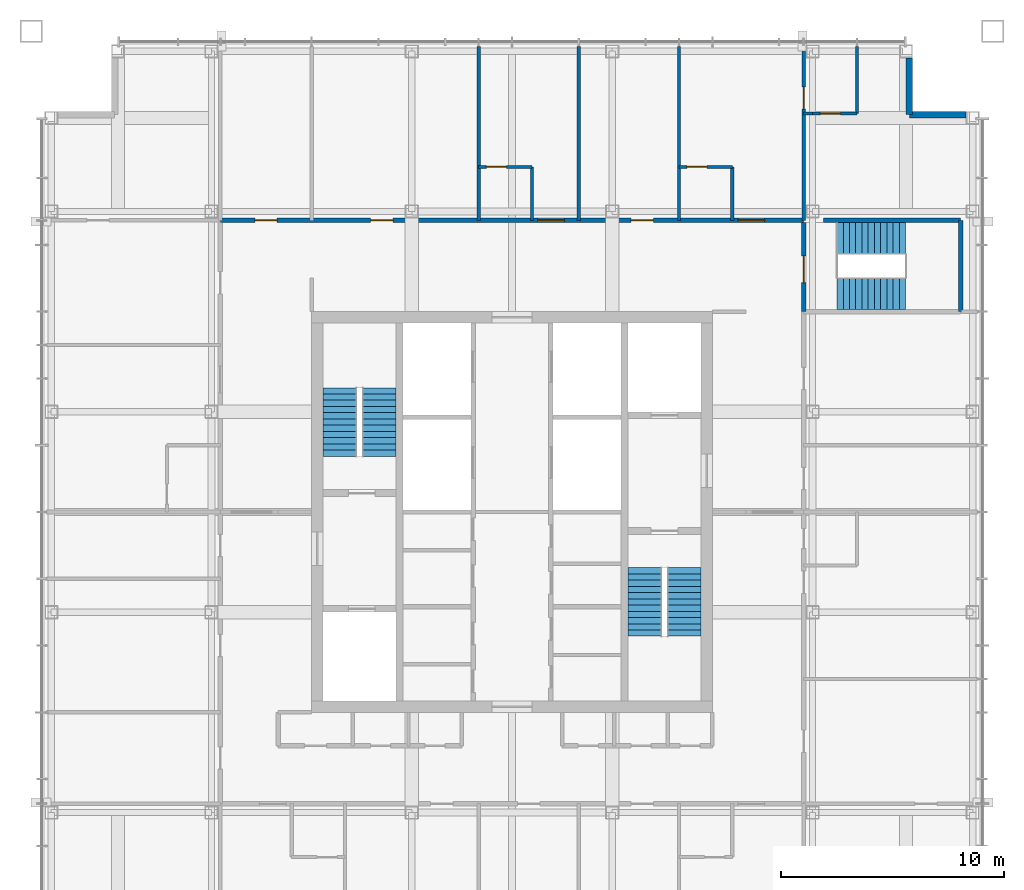
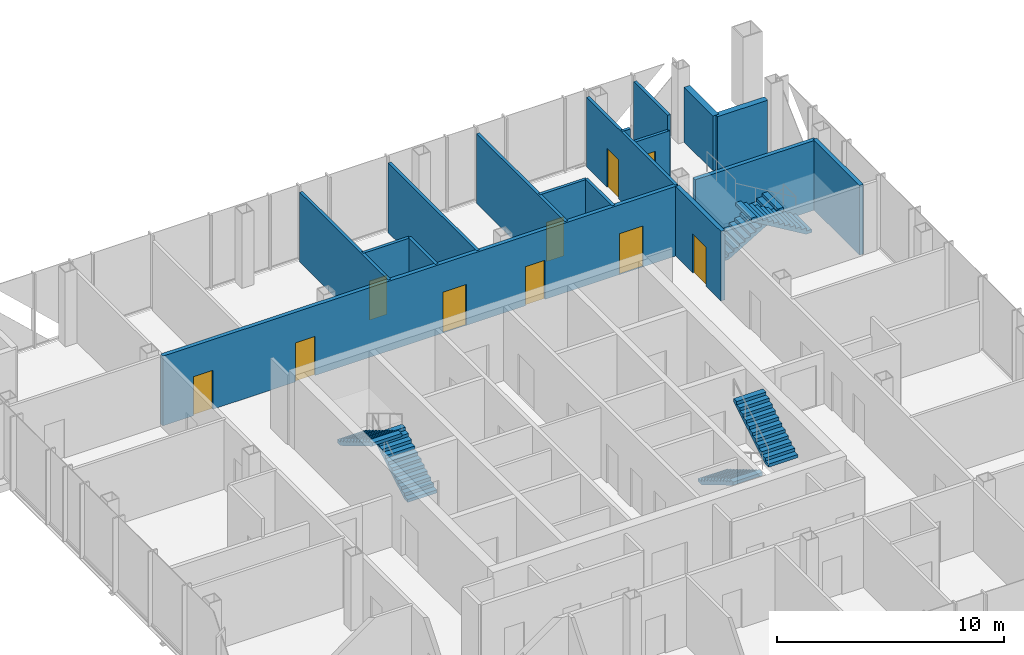
# One storey, part 10 of 11: 17 walls, 10 doors, 6 stair flights, 10 openings, 3 elements without a shape of their own.
"""IFC4 building model written with IfcOpenShell, lengths in metres."""

from ifc_helpers import new_model, si_unit, direction, frame, frame_2d, origin, place, context, subcontext, project, spatial, polyline, rectangle, outline, extrude, material, layer, layer_set, type_object, element, fill, aggregate, save


model = new_model("IFC4")

# Units and contexts
model_context = context("Model", 3, precision=1e-05, world=origin(), true_north=direction((0.0, 1.0)))
body_context = subcontext(model_context, "Body", "Model", "MODEL_VIEW")
ifc_project = project(units=[si_unit("LENGTHUNIT", "METRE"), si_unit("AREAUNIT", "SQUARE_METRE"), si_unit("VOLUMEUNIT", "CUBIC_METRE"), si_unit("PLANEANGLEUNIT", "RADIAN"), si_unit("MASSUNIT", "GRAM", prefix="KILO")], contexts=[model_context])

# Site, building, storey
site_placement = place(None, origin())
site = spatial("IfcSite", under=ifc_project, at=site_placement, CompositionType="ELEMENT")
building_placement = place(site_placement, origin())
building = spatial("IfcBuilding", under=site, at=building_placement, Name="Malebo Sky Hospital", CompositionType="ELEMENT")
storey_placement = place(building_placement, frame((0.0, 0.0, 282.0)))
storey = spatial("IfcBuildingStorey", under=building, at=storey_placement, Name="L68", CompositionType="ELEMENT", Elevation=282.0)

# Wall, openings, doors
ifc_material_1 = material(Name="Gypsum board on steel studs", Category="steel")
ifc_layer_1 = layer(ifc_material_1, 0.199951171875)
ifc_layer_set_1 = layer_set([ifc_layer_1], Name="CORRIDOR WALL 200")
wall_type_1 = type_object("IfcWallType", Name="CORRIDOR WALL 200", PredefinedType="PARTITIONING", material=ifc_layer_set_1)
wall_1_placement = place(storey_placement, frame((46.89990234375, 75.10009765625, 0.0), z_axis=(0.0, 0.0, 1.0), x_axis=(1.0, 0.0, 0.0)))
wall_1 = element("IfcWall", 1, at=wall_1_placement, inside=storey, type_object=wall_type_1, Name="Corridor Wall 200 NCO", PredefinedType="PARTITIONING", context=body_context, shape_type="SweptSolid", body=[
    extrude(rectangle(XDim=26.2001953125, YDim=0.199951171875, at=frame_2d((13.10009765625, 0.0))), origin(), (0.0, 0.0, 1.0), 3.75),
])
opening_1_placement = place(wall_1_placement, frame((1.550048828125, 0.0, 0.0)))
opening_1 = element("IfcOpeningElement", 2, at=opening_1_placement, cuts=wall_1, Name="Opening D03", PredefinedType="OPENING", context=body_context, shape_type="SweptSolid", body=[
    extrude(rectangle(XDim=1.0, YDim=2.10009765625, at=frame_2d((0.5, 1.050048828125))), frame((0.0, 0.10986328125, 0.0), z_axis=(0.0, -1.0, 0.0), x_axis=(1.0, 0.0, 0.0)), (0.0, 0.0, 1.0), 0.219970703125),
])
opening_2_placement = place(wall_1_placement, frame((6.75, 0.0, 0.0)))
opening_2 = element("IfcOpeningElement", 3, at=opening_2_placement, cuts=wall_1, Name="Opening D03", PredefinedType="OPENING", context=body_context, shape_type="SweptSolid", body=[
    extrude(rectangle(XDim=1.0, YDim=2.10009765625, at=frame_2d((0.5, 1.050048828125))), frame((0.0, 0.10986328125, 0.0), z_axis=(0.0, -1.0, 0.0), x_axis=(1.0, 0.0, 0.0)), (0.0, 0.0, 1.0), 0.219970703125),
])
opening_3_placement = place(wall_1_placement, frame((14.25, 0.0, 0.0)))
opening_3 = element("IfcOpeningElement", 4, at=opening_3_placement, cuts=wall_1, Name="Opening D01", PredefinedType="OPENING", context=body_context, shape_type="SweptSolid", body=[
    extrude(rectangle(XDim=1.199951171875, YDim=2.199951171875, at=frame_2d((0.60009765625, 1.10009765625))), frame((0.0, 0.10986328125, 0.0), z_axis=(0.0, -1.0, 0.0), x_axis=(1.0, 0.0, 0.0)), (0.0, 0.0, 1.0), 0.219970703125),
])
opening_4_placement = place(wall_1_placement, frame((18.449951171875, 0.0, 0.0)))
opening_4 = element("IfcOpeningElement", 5, at=opening_4_placement, cuts=wall_1, Name="Opening D03", PredefinedType="OPENING", context=body_context, shape_type="SweptSolid", body=[
    extrude(rectangle(XDim=1.0, YDim=2.10009765625, at=frame_2d((0.5, 1.050048828125))), frame((0.0, 0.10986328125, 0.0), z_axis=(0.0, -1.0, 0.0), x_axis=(1.0, 0.0, 0.0)), (0.0, 0.0, 1.0), 0.219970703125),
])
opening_5_placement = place(wall_1_placement, frame((23.25, 0.0, 0.0)))
opening_5 = element("IfcOpeningElement", 6, at=opening_5_placement, cuts=wall_1, Name="Opening D01", PredefinedType="OPENING", context=body_context, shape_type="SweptSolid", body=[
    extrude(rectangle(XDim=1.199951171875, YDim=2.199951171875, at=frame_2d((0.60009765625, 1.10009765625))), frame((0.0, 0.10986328125, 0.0), z_axis=(0.0, -1.0, 0.0), x_axis=(1.0, 0.0, 0.0)), (0.0, 0.0, 1.0), 0.219970703125),
])
ifc_material_2 = material(Name="Hardwood-faced door leaf in steel frame", Category="steel")
door_type_1 = type_object("IfcDoorType", Name="BED DOOR 1200", OperationType="SINGLE_SWING_LEFT", PredefinedType="DOOR", material=ifc_material_2)
door_1_placement = place(opening_3_placement, origin())
door_1 = element("IfcDoor", 7, at=door_1_placement, inside=storey, type_object=door_type_1, Name="Single bed room door", OperationType="SINGLE_SWING_LEFT", OverallHeight=2.199951171875, OverallWidth=1.199951171875, PredefinedType="DOOR", context=body_context, shape_type="SweptSolid", body=[
    extrude(rectangle(XDim=1.199951171875, YDim=2.199951171875, at=frame_2d((0.60009765625, 1.10009765625))), frame((0.0, 0.02490234375, 0.0), z_axis=(0.0, -1.0, 0.0), x_axis=(1.0, 0.0, 0.0)), (0.0, 0.0, 1.0), 0.050048828125),
])
fill(opening_3, door_1)
door_2_placement = place(opening_5_placement, origin())
door_2 = element("IfcDoor", 8, at=door_2_placement, inside=storey, type_object=door_type_1, Name="Family suite door", OperationType="SINGLE_SWING_LEFT", OverallHeight=2.199951171875, OverallWidth=1.199951171875, PredefinedType="DOOR", context=body_context, shape_type="SweptSolid", body=[
    extrude(rectangle(XDim=1.199951171875, YDim=2.199951171875, at=frame_2d((0.60009765625, 1.10009765625))), frame((0.0, 0.02490234375, 0.0), z_axis=(0.0, -1.0, 0.0), x_axis=(1.0, 0.0, 0.0)), (0.0, 0.0, 1.0), 0.050048828125),
])
fill(opening_5, door_2)
door_type_2 = type_object("IfcDoorType", Name="ROOM DOOR 1000", OperationType="SINGLE_SWING_LEFT", PredefinedType="DOOR", material=ifc_material_2)
door_3_placement = place(opening_1_placement, origin())
door_3 = element("IfcDoor", 9, at=door_3_placement, inside=storey, type_object=door_type_2, Name="Ward office door", OperationType="SINGLE_SWING_LEFT", OverallHeight=2.10009765625, OverallWidth=1.0, PredefinedType="DOOR", context=body_context, shape_type="SweptSolid", body=[
    extrude(rectangle(XDim=1.0, YDim=2.10009765625, at=frame_2d((0.5, 1.050048828125))), frame((0.0, 0.02490234375, 0.0), z_axis=(0.0, -1.0, 0.0), x_axis=(1.0, 0.0, 0.0)), (0.0, 0.0, 1.0), 0.050048828125),
])
fill(opening_1, door_3)
door_4_placement = place(opening_2_placement, origin())
door_4 = element("IfcDoor", 10, at=door_4_placement, inside=storey, type_object=door_type_2, Name="Prayer room door", OperationType="SINGLE_SWING_LEFT", OverallHeight=2.10009765625, OverallWidth=1.0, PredefinedType="DOOR", context=body_context, shape_type="SweptSolid", body=[
    extrude(rectangle(XDim=1.0, YDim=2.10009765625, at=frame_2d((0.5, 1.050048828125))), frame((0.0, 0.02490234375, 0.0), z_axis=(0.0, -1.0, 0.0), x_axis=(1.0, 0.0, 0.0)), (0.0, 0.0, 1.0), 0.050048828125),
])
fill(opening_2, door_4)
door_5_placement = place(opening_4_placement, origin())
door_5 = element("IfcDoor", 11, at=door_5_placement, inside=storey, type_object=door_type_2, Name="Nurse station door", OperationType="SINGLE_SWING_RIGHT", OverallHeight=2.10009765625, OverallWidth=1.0, PredefinedType="DOOR", context=body_context, shape_type="SweptSolid", body=[
    extrude(rectangle(XDim=1.0, YDim=2.10009765625, at=frame_2d((0.5, 1.050048828125))), frame((0.0, 0.02490234375, 0.0), z_axis=(0.0, -1.0, 0.0), x_axis=(1.0, 0.0, 0.0)), (0.0, 0.0, 1.0), 0.050048828125),
])
fill(opening_4, door_5)

# Walls
ifc_material_3 = material(Name="Anodised aluminium rainscreen on steel framing", Category="steel")
ifc_layer_2 = layer(ifc_material_3, 0.300048828125)
ifc_layer_set_2 = layer_set([ifc_layer_2], Name="NOTCH RAINSCREEN WALL 300")
wall_type_2 = type_object("IfcWallType", Name="NOTCH RAINSCREEN WALL 300", PredefinedType="ELEMENTEDWALL", material=ifc_layer_set_2)
for number, where, z_axis, x_axis, name in (
    (12, (77.85009765625, 82.39990234375, 0.0), (0.0, 0.0, 1.0), (0.0, -1.0, 0.0), "Notch rainscreen wall N1 L68"),
    (13, (77.85009765625, 79.85009765625, 0.0), (0.0, 0.0, 1.0), (1.0, 0.0, 0.0), "Notch rainscreen wall N2 L68"),
):
    element("IfcWall", number, at=place(storey_placement, frame(where, z_axis=z_axis, x_axis=x_axis)), inside=storey, type_object=wall_type_2, Name=name, PredefinedType="ELEMENTEDWALL", context=body_context, shape_type="SweptSolid", body=[
        extrude(rectangle(XDim=2.5498046875, YDim=0.300048828125, at=frame_2d((1.27490234375, 0.0))), origin(), (0.0, 0.0, 1.0), 2.949951171875),
    ])
ifc_layer_3 = layer(ifc_material_1, 0.14990234375)
ifc_layer_set_3 = layer_set([ifc_layer_3], Name="PARTITION 150")
wall_type_3 = type_object("IfcWallType", Name="PARTITION 150", PredefinedType="PARTITIONING", material=ifc_layer_set_3)
for number, where, z_axis, x_axis, name in (
    (14, (58.5, 75.10009765625, 0.0), (0.0, 0.0, 1.0), (0.0, 1.0, 0.0), "Partition 150 NP-1.5"),
    (15, (63.0, 75.10009765625, 0.0), (0.0, 0.0, 1.0), (0.0, 1.0, 0.0), "Partition 150 NP+3.0"),
    (16, (67.5, 75.10009765625, 0.0), (0.0, 0.0, 1.0), (0.0, 1.0, 0.0), "Partition 150 NP+7.5"),
):
    element("IfcWall", number, at=place(storey_placement, frame(where, z_axis=z_axis, x_axis=x_axis)), inside=storey, type_object=wall_type_3, Name=name, PredefinedType="PARTITIONING", context=body_context, shape_type="SweptSolid", body=[
        extrude(rectangle(XDim=7.7998046875, YDim=0.14990234375, at=frame_2d((3.89990234375, 0.0))), origin(), (0.0, 0.0, 1.0), 3.75),
    ])

# Wall, opening, door
wall_2_placement = place(storey_placement, frame((58.5, 77.5, 0.0), z_axis=(0.0, 0.0, 1.0), x_axis=(1.0, 0.0, 0.0)))
wall_2 = element("IfcWall", 17, at=wall_2_placement, inside=storey, type_object=wall_type_3, Name="Partition 150 NE2F", PredefinedType="PARTITIONING", context=body_context, shape_type="SweptSolid", body=[
    extrude(rectangle(XDim=2.39990234375, YDim=0.14990234375, at=frame_2d((1.199951171875, 0.0))), origin(), (0.0, 0.0, 1.0), 3.75),
])
opening_6_placement = place(wall_2_placement, frame((0.35009765625, 0.0, 0.0)))
opening_6 = element("IfcOpeningElement", 18, at=opening_6_placement, cuts=wall_2, Name="Opening D02", PredefinedType="OPENING", context=body_context, shape_type="SweptSolid", body=[
    extrude(rectangle(XDim=0.89990234375, YDim=2.10009765625, at=frame_2d((0.449951171875, 1.050048828125))), frame((0.0, 0.0849609375, 0.0), z_axis=(0.0, -1.0, 0.0), x_axis=(1.0, 0.0, 0.0)), (0.0, 0.0, 1.0), 0.169921875),
])
door_type_3 = type_object("IfcDoorType", Name="EN-SUITE DOOR 900", OperationType="SINGLE_SWING_LEFT", PredefinedType="DOOR", material=ifc_material_2)
door_6_placement = place(opening_6_placement, origin())
door_6 = element("IfcDoor", 19, at=door_6_placement, inside=storey, type_object=door_type_3, Name="En-suite door", OperationType="SINGLE_SWING_LEFT", OverallHeight=2.10009765625, OverallWidth=0.89990234375, PredefinedType="DOOR", context=body_context, shape_type="SweptSolid", body=[
    extrude(rectangle(XDim=0.89990234375, YDim=2.10009765625, at=frame_2d((0.449951171875, 1.050048828125))), frame((0.0, 0.02490234375, 0.0), z_axis=(0.0, -1.0, 0.0), x_axis=(1.0, 0.0, 0.0)), (0.0, 0.0, 1.0), 0.050048828125),
])
fill(opening_6, door_6)

# Wall
wall_3_placement = place(storey_placement, frame((60.89990234375, 75.10009765625, 0.0), z_axis=(0.0, 0.0, 1.0), x_axis=(0.0, 1.0, 0.0)))
element("IfcWall", 20, at=wall_3_placement, inside=storey, type_object=wall_type_3, Name="Partition 150 NE2S", PredefinedType="PARTITIONING", context=body_context, shape_type="SweptSolid", body=[
    extrude(rectangle(XDim=2.39990234375, YDim=0.14990234375, at=frame_2d((1.199951171875, 0.0))), origin(), (0.0, 0.0, 1.0), 3.75),
])

# Wall, opening, door
wall_4_placement = place(storey_placement, frame((73.10009765625, 75.10009765625, 0.0), z_axis=(0.0, 0.0, 1.0), x_axis=(0.0, 1.0, 0.0)))
wall_4 = element("IfcWall", 21, at=wall_4_placement, inside=storey, type_object=wall_type_3, Name="Partition 150 NK", PredefinedType="PARTITIONING", context=body_context, shape_type="SweptSolid", body=[
    extrude(rectangle(XDim=7.7998046875, YDim=0.14990234375, at=frame_2d((3.89990234375, 0.0))), origin(), (0.0, 0.0, 1.0), 3.75),
])
opening_7_placement = place(wall_4_placement, frame((5.0, 0.0, 0.0)))
opening_7 = element("IfcOpeningElement", 22, at=opening_7_placement, cuts=wall_4, Name="Opening D03", PredefinedType="OPENING", context=body_context, shape_type="SweptSolid", body=[
    extrude(rectangle(XDim=1.0, YDim=2.10009765625, at=frame_2d((0.5, 1.050048828125))), frame((0.0, 0.0849609375, 0.0), z_axis=(0.0, -1.0, 0.0), x_axis=(1.0, 0.0, 0.0)), (0.0, 0.0, 1.0), 0.169921875),
])
door_7_placement = place(opening_7_placement, origin())
door_7 = element("IfcDoor", 23, at=door_7_placement, inside=storey, type_object=door_type_2, Name="Family suite sitting room door", OperationType="SINGLE_SWING_LEFT", OverallHeight=2.10009765625, OverallWidth=1.0, PredefinedType="DOOR", context=body_context, shape_type="SweptSolid", body=[
    extrude(rectangle(XDim=1.0, YDim=2.10009765625, at=frame_2d((0.5, 1.050048828125))), frame((0.0, 0.02490234375, 0.0), z_axis=(0.0, -1.0, 0.0), x_axis=(1.0, 0.0, 0.0)), (0.0, 0.0, 1.0), 0.050048828125),
])
fill(opening_7, door_7)

# Wall
wall_5_placement = place(storey_placement, frame((73.10009765625, 79.89990234375, 0.0), z_axis=(0.0, 0.0, 1.0), x_axis=(1.0, 0.0, 0.0)))
element("IfcWall", 24, at=wall_5_placement, inside=storey, type_object=wall_type_3, Name="Partition 150 NKF", PredefinedType="PARTITIONING", context=body_context, shape_type="SweptSolid", body=[
    extrude(rectangle(XDim=0.39990234375, YDim=0.14990234375, at=frame_2d((0.199951171875, 0.0))), origin(), (0.0, 0.0, 1.0), 3.75),
])

# Wall, opening, door
wall_6_placement = place(storey_placement, frame((73.5, 79.89990234375, 0.0), z_axis=(0.0, 0.0, 1.0), x_axis=(1.0, 0.0, 0.0)))
wall_6 = element("IfcWall", 25, at=wall_6_placement, inside=storey, type_object=wall_type_3, Name="Partition 150 NKF", PredefinedType="PARTITIONING", context=body_context, shape_type="SweptSolid", body=[
    extrude(rectangle(XDim=2.0, YDim=0.14990234375, at=frame_2d((1.0, 0.0))), origin(), (0.0, 0.0, 1.0), 2.949951171875),
])
opening_8_placement = place(wall_6_placement, frame((0.35009765625, 0.0, 0.0)))
opening_8 = element("IfcOpeningElement", 26, at=opening_8_placement, cuts=wall_6, Name="Opening D02", PredefinedType="OPENING", context=body_context, shape_type="SweptSolid", body=[
    extrude(rectangle(XDim=0.89990234375, YDim=2.10009765625, at=frame_2d((0.449951171875, 1.050048828125))), frame((0.0, 0.0849609375, 0.0), z_axis=(0.0, -1.0, 0.0), x_axis=(1.0, 0.0, 0.0)), (0.0, 0.0, 1.0), 0.169921875),
])
door_8_placement = place(opening_8_placement, origin())
door_8 = element("IfcDoor", 27, at=door_8_placement, inside=storey, type_object=door_type_3, Name="Shower room door", OperationType="SINGLE_SWING_LEFT", OverallHeight=2.10009765625, OverallWidth=0.89990234375, PredefinedType="DOOR", context=body_context, shape_type="SweptSolid", body=[
    extrude(rectangle(XDim=0.89990234375, YDim=2.10009765625, at=frame_2d((0.449951171875, 1.050048828125))), frame((0.0, 0.02490234375, 0.0), z_axis=(0.0, -1.0, 0.0), x_axis=(1.0, 0.0, 0.0)), (0.0, 0.0, 1.0), 0.050048828125),
])
fill(opening_8, door_8)

# Wall
wall_7_placement = place(storey_placement, frame((75.5, 79.89990234375, 0.0), z_axis=(0.0, 0.0, 1.0), x_axis=(0.0, 1.0, 0.0)))
element("IfcWall", 28, at=wall_7_placement, inside=storey, type_object=wall_type_3, Name="Partition 150 NKS", PredefinedType="PARTITIONING", context=body_context, shape_type="SweptSolid", body=[
    extrude(rectangle(XDim=3.0, YDim=0.14990234375, at=frame_2d((1.5, 0.0))), origin(), (0.0, 0.0, 1.0), 3.75),
])

# Wall, opening, door
wall_8_placement = place(storey_placement, frame((67.5, 77.5, 0.0), z_axis=(0.0, 0.0, 1.0), x_axis=(1.0, 0.0, 0.0)))
wall_8 = element("IfcWall", 29, at=wall_8_placement, inside=storey, type_object=wall_type_3, Name="Partition 150 NE4F", PredefinedType="PARTITIONING", context=body_context, shape_type="SweptSolid", body=[
    extrude(rectangle(XDim=2.39990234375, YDim=0.14990234375, at=frame_2d((1.199951171875, 0.0))), origin(), (0.0, 0.0, 1.0), 3.75),
])
opening_9_placement = place(wall_8_placement, frame((0.35009765625, 0.0, 0.0)))
opening_9 = element("IfcOpeningElement", 30, at=opening_9_placement, cuts=wall_8, Name="Opening D02", PredefinedType="OPENING", context=body_context, shape_type="SweptSolid", body=[
    extrude(rectangle(XDim=0.89990234375, YDim=2.10009765625, at=frame_2d((0.449951171875, 1.050048828125))), frame((0.0, 0.0849609375, 0.0), z_axis=(0.0, -1.0, 0.0), x_axis=(1.0, 0.0, 0.0)), (0.0, 0.0, 1.0), 0.169921875),
])
door_9_placement = place(opening_9_placement, origin())
door_9 = element("IfcDoor", 31, at=door_9_placement, inside=storey, type_object=door_type_3, Name="En-suite door", OperationType="SINGLE_SWING_LEFT", OverallHeight=2.10009765625, OverallWidth=0.89990234375, PredefinedType="DOOR", context=body_context, shape_type="SweptSolid", body=[
    extrude(rectangle(XDim=0.89990234375, YDim=2.10009765625, at=frame_2d((0.449951171875, 1.050048828125))), frame((0.0, 0.02490234375, 0.0), z_axis=(0.0, -1.0, 0.0), x_axis=(1.0, 0.0, 0.0)), (0.0, 0.0, 1.0), 0.050048828125),
])
fill(opening_9, door_9)

# Wall
wall_9_placement = place(storey_placement, frame((69.89990234375, 75.10009765625, 0.0), z_axis=(0.0, 0.0, 1.0), x_axis=(0.0, 1.0, 0.0)))
element("IfcWall", 32, at=wall_9_placement, inside=storey, type_object=wall_type_3, Name="Partition 150 NE4S", PredefinedType="PARTITIONING", context=body_context, shape_type="SweptSolid", body=[
    extrude(rectangle(XDim=2.39990234375, YDim=0.14990234375, at=frame_2d((1.199951171875, 0.0))), origin(), (0.0, 0.0, 1.0), 3.75),
])

# Wall, opening, door
ifc_material_4 = material(Name="Concrete C40/50", Category="concrete")
ifc_layer_4 = layer(ifc_material_4, 0.199951171875)
ifc_layer_set_4 = layer_set([ifc_layer_4], Name="STAIR ENCLOSURE WALL 200")
wall_type_4 = type_object("IfcWallType", Name="STAIR ENCLOSURE WALL 200", PredefinedType="SOLIDWALL", material=ifc_layer_set_4)
wall_10_placement = place(storey_placement, frame((73.10009765625, 75.0, 0.0), z_axis=(0.0, 0.0, 1.0), x_axis=(0.0, -1.0, 0.0)))
wall_10 = element("IfcWall", 33, at=wall_10_placement, inside=storey, type_object=wall_type_4, Name="Stair Enclosure Wall 200 ST3W", PredefinedType="SOLIDWALL", context=body_context, shape_type="SweptSolid", body=[
    extrude(rectangle(XDim=4.0, YDim=0.199951171875, at=frame_2d((2.0, 0.0))), origin(), (0.0, 0.0, 1.0), 3.75),
])
opening_10_placement = place(wall_10_placement, frame((1.5, 0.0, 0.0)))
opening_10 = element("IfcOpeningElement", 34, at=opening_10_placement, cuts=wall_10, Name="Opening D08", PredefinedType="OPENING", context=body_context, shape_type="SweptSolid", body=[
    extrude(rectangle(XDim=1.199951171875, YDim=2.10009765625, at=frame_2d((0.60009765625, 1.050048828125))), frame((0.0, 0.10986328125, 0.0), z_axis=(0.0, -1.0, 0.0), x_axis=(1.0, 0.0, 0.0)), (0.0, 0.0, 1.0), 0.219970703125),
])
door_type_4 = type_object("IfcDoorType", Name="STAIR DOOR 1200", OperationType="SINGLE_SWING_LEFT", PredefinedType="DOOR", material=ifc_material_2)
door_10_placement = place(opening_10_placement, origin())
door_10 = element("IfcDoor", 35, at=door_10_placement, inside=storey, type_object=door_type_4, Name="Stair S3 door", OperationType="SINGLE_SWING_RIGHT", OverallHeight=2.10009765625, OverallWidth=1.199951171875, PredefinedType="DOOR", context=body_context, shape_type="SweptSolid", body=[
    extrude(rectangle(XDim=1.199951171875, YDim=2.10009765625, at=frame_2d((0.60009765625, 1.050048828125))), frame((0.0, 0.02490234375, 0.0), z_axis=(0.0, -1.0, 0.0), x_axis=(1.0, 0.0, 0.0)), (0.0, 0.0, 1.0), 0.050048828125),
])
fill(opening_10, door_10)

# Walls
wall_11_placement = place(storey_placement, frame((80.14990234375, 71.0, 0.0), z_axis=(0.0, 0.0, 1.0), x_axis=(0.0, 1.0, 0.0)))
element("IfcWall", 36, at=wall_11_placement, inside=storey, type_object=wall_type_4, Name="Stair Enclosure Wall 200 ST3EE", PredefinedType="SOLIDWALL", context=body_context, shape_type="SweptSolid", body=[
    extrude(rectangle(XDim=4.10009765625, YDim=0.199951171875, at=frame_2d((2.050048828125, 0.0))), origin(), (0.0, 0.0, 1.0), 3.75),
])
wall_12_placement = place(storey_placement, frame((74.0, 75.10009765625, 0.0), z_axis=(0.0, 0.0, 1.0), x_axis=(1.0, 0.0, 0.0)))
element("IfcWall", 37, at=wall_12_placement, inside=storey, type_object=wall_type_4, Name="Stair Enclosure Wall 200 ST3N", PredefinedType="SOLIDWALL", context=body_context, shape_type="SweptSolid", body=[
    extrude(rectangle(XDim=6.14990234375, YDim=0.199951171875, at=frame_2d((3.074951171875, 0.0))), origin(), (0.0, 0.0, 1.0), 3.75),
])

# Stair, stair flights
stair_type_1 = type_object("IfcStairType", Name="HALF-TURN STAIR 1400 R167", PredefinedType="HALF_TURN_STAIR", material=ifc_material_4)
stair_1_placement = place(storey_placement, origin())
stair_1 = element("IfcStair", 38, at=stair_1_placement, inside=storey, type_object=stair_type_1, Name="Stair S3 L68 type ST1B", PredefinedType="HALF_TURN_STAIR")
stair_flight_type_1 = type_object("IfcStairFlightType", Name="STAIR FLIGHT 1400 R167", PredefinedType="STRAIGHT", material=ifc_material_4)
stair_flight_1_placement = place(storey_placement, frame((74.60009765625, 74.300048828125, 0.0), z_axis=(0.0, 0.0, 1.0), x_axis=(1.0, 0.0, 0.0)))
stair_flight_1 = element("IfcStairFlight", 39, at=stair_flight_1_placement, type_object=stair_flight_type_1, Name="S3 flight 1 type SF1B", NumberOfRisers=12, NumberOfTreads=11, PredefinedType="STRAIGHT", RiserHeight=0.166666667, TreadLength=0.28, context=body_context, shape_type="SweptSolid", body=[
    extrude(outline(polyline([(0.0, 0.0), (0.0, 0.166748046875), (0.280029296875, 0.166748046875), (0.280029296875, 0.333251953125), (0.56005859375, 0.333251953125), (0.56005859375, 0.5), (0.840087890625, 0.5), (0.840087890625, 0.666748046875), (1.1201171875, 0.666748046875), (1.1201171875, 0.833251953125), (1.39990234375, 0.833251953125), (1.39990234375, 1.0), (1.679931640625, 1.0), (1.679931640625, 1.166748046875), (1.9599609375, 1.166748046875), (1.9599609375, 1.333251953125), (2.239990234375, 1.333251953125), (2.239990234375, 1.5), (2.52001953125, 1.5), (2.52001953125, 1.666748046875), (2.800048828125, 1.666748046875), (2.800048828125, 1.833251953125), (3.080078125, 1.833251953125), (3.080078125, 2.0), (3.080078125, 1.658935546875), (0.29296875, 0.0), (0.0, 0.0)])), frame((0.0, 0.699951171875, 0.0), z_axis=(0.0, -1.0, 0.0), x_axis=(1.0, 0.0, 0.0)), (0.0, 0.0, 1.0), 1.39990234375),
])
stair_flight_2_placement = place(storey_placement, frame((77.679931640625, 71.800048828125, 2.0), z_axis=(0.0, 0.0, 1.0), x_axis=(-1.0, 0.0, 0.0)))
stair_flight_2 = element("IfcStairFlight", 40, at=stair_flight_2_placement, type_object=stair_flight_type_1, Name="S3 flight 2 type SF1B", NumberOfRisers=12, NumberOfTreads=11, PredefinedType="STRAIGHT", RiserHeight=0.166666667, TreadLength=0.28, context=body_context, shape_type="SweptSolid", body=[
    extrude(outline(polyline([(0.0, 0.0), (0.0, 0.166748046875), (0.280029296875, 0.166748046875), (0.280029296875, 0.333251953125), (0.56005859375, 0.333251953125), (0.56005859375, 0.5), (0.840087890625, 0.5), (0.840087890625, 0.666748046875), (1.1201171875, 0.666748046875), (1.1201171875, 0.833251953125), (1.39990234375, 0.833251953125), (1.39990234375, 1.0), (1.679931640625, 1.0), (1.679931640625, 1.166748046875), (1.9599609375, 1.166748046875), (1.9599609375, 1.333251953125), (2.239990234375, 1.333251953125), (2.239990234375, 1.5), (2.52001953125, 1.5), (2.52001953125, 1.666748046875), (2.800048828125, 1.666748046875), (2.800048828125, 1.833251953125), (3.080078125, 1.833251953125), (3.080078125, 2.0), (3.080078125, 1.658935546875), (0.29296875, 0.0), (0.0, 0.0)])), frame((0.0, 0.699951171875, 0.0), z_axis=(0.0, -1.0, 0.0), x_axis=(1.0, 0.0, 0.0)), (0.0, 0.0, 1.0), 1.39990234375),
])
aggregate(stair_1, [stair_flight_1, stair_flight_2])

stair_type_2 = type_object("IfcStairType", Name="HALF-TURN STAIR 1500 R167", PredefinedType="HALF_TURN_STAIR", material=ifc_material_4)
stair_2_placement = place(storey_placement, origin())
stair_2 = element("IfcStair", 41, at=stair_2_placement, inside=storey, type_object=stair_type_2, Name="Stair S1 L68 type ST1", PredefinedType="HALF_TURN_STAIR")
stair_flight_type_2 = type_object("IfcStairFlightType", Name="STAIR FLIGHT 1500 R167", PredefinedType="STRAIGHT", material=ifc_material_4)
stair_flight_3_placement = place(storey_placement, frame((54.050048828125, 64.5, 0.0), z_axis=(0.0, 0.0, 1.0), x_axis=(0.0, 1.0, 0.0)))
stair_flight_3 = element("IfcStairFlight", 42, at=stair_flight_3_placement, type_object=stair_flight_type_2, Name="S1 flight 1 type SF1", NumberOfRisers=12, NumberOfTreads=11, PredefinedType="STRAIGHT", RiserHeight=0.166666667, TreadLength=0.28, context=body_context, shape_type="SweptSolid", body=[
    extrude(outline(polyline([(0.0, 0.0), (0.0, 0.166748046875), (0.280029296875, 0.166748046875), (0.280029296875, 0.333251953125), (0.56005859375, 0.333251953125), (0.56005859375, 0.5), (0.840087890625, 0.5), (0.840087890625, 0.666748046875), (1.1201171875, 0.666748046875), (1.1201171875, 0.833251953125), (1.39990234375, 0.833251953125), (1.39990234375, 1.0), (1.679931640625, 1.0), (1.679931640625, 1.166748046875), (1.9599609375, 1.166748046875), (1.9599609375, 1.333251953125), (2.239990234375, 1.333251953125), (2.239990234375, 1.5), (2.52001953125, 1.5), (2.52001953125, 1.666748046875), (2.800048828125, 1.666748046875), (2.800048828125, 1.833251953125), (3.080078125, 1.833251953125), (3.080078125, 2.0), (3.080078125, 1.658935546875), (0.29296875, 0.0), (0.0, 0.0)])), frame((0.0, 0.75, 0.0), z_axis=(0.0, -1.0, 0.0), x_axis=(1.0, 0.0, 0.0)), (0.0, 0.0, 1.0), 1.5),
])
stair_flight_4_placement = place(storey_placement, frame((52.25, 67.580078125, 2.0), z_axis=(0.0, 0.0, 1.0), x_axis=(0.0, -1.0, 0.0)))
stair_flight_4 = element("IfcStairFlight", 43, at=stair_flight_4_placement, type_object=stair_flight_type_2, Name="S1 flight 2 type SF1", NumberOfRisers=12, NumberOfTreads=11, PredefinedType="STRAIGHT", RiserHeight=0.166666667, TreadLength=0.28, context=body_context, shape_type="SweptSolid", body=[
    extrude(outline(polyline([(0.0, 0.0), (0.0, 0.166748046875), (0.280029296875, 0.166748046875), (0.280029296875, 0.333251953125), (0.56005859375, 0.333251953125), (0.56005859375, 0.5), (0.840087890625, 0.5), (0.840087890625, 0.666748046875), (1.1201171875, 0.666748046875), (1.1201171875, 0.833251953125), (1.39990234375, 0.833251953125), (1.39990234375, 1.0), (1.679931640625, 1.0), (1.679931640625, 1.166748046875), (1.9599609375, 1.166748046875), (1.9599609375, 1.333251953125), (2.239990234375, 1.333251953125), (2.239990234375, 1.5), (2.52001953125, 1.5), (2.52001953125, 1.666748046875), (2.800048828125, 1.666748046875), (2.800048828125, 1.833251953125), (3.080078125, 1.833251953125), (3.080078125, 2.0), (3.080078125, 1.658935546875), (0.29296875, 0.0), (0.0, 0.0)])), frame((0.0, 0.75, 0.0), z_axis=(0.0, -1.0, 0.0), x_axis=(1.0, 0.0, 0.0)), (0.0, 0.0, 1.0), 1.5),
])
aggregate(stair_2, [stair_flight_3, stair_flight_4])

stair_3_placement = place(storey_placement, origin())
stair_3 = element("IfcStair", 44, at=stair_3_placement, inside=storey, type_object=stair_type_2, Name="Stair S2 L68 type ST1", PredefinedType="HALF_TURN_STAIR")
stair_flight_5_placement = place(storey_placement, frame((65.949951171875, 59.5, 0.0), z_axis=(0.0, 0.0, 1.0), x_axis=(0.0, -1.0, 0.0)))
stair_flight_5 = element("IfcStairFlight", 45, at=stair_flight_5_placement, type_object=stair_flight_type_2, Name="S2 flight 1 type SF1", NumberOfRisers=12, NumberOfTreads=11, PredefinedType="STRAIGHT", RiserHeight=0.166666667, TreadLength=0.28, context=body_context, shape_type="SweptSolid", body=[
    extrude(outline(polyline([(0.0, 0.0), (0.0, 0.166748046875), (0.280029296875, 0.166748046875), (0.280029296875, 0.333251953125), (0.56005859375, 0.333251953125), (0.56005859375, 0.5), (0.840087890625, 0.5), (0.840087890625, 0.666748046875), (1.1201171875, 0.666748046875), (1.1201171875, 0.833251953125), (1.39990234375, 0.833251953125), (1.39990234375, 1.0), (1.679931640625, 1.0), (1.679931640625, 1.166748046875), (1.9599609375, 1.166748046875), (1.9599609375, 1.333251953125), (2.239990234375, 1.333251953125), (2.239990234375, 1.5), (2.52001953125, 1.5), (2.52001953125, 1.666748046875), (2.800048828125, 1.666748046875), (2.800048828125, 1.833251953125), (3.080078125, 1.833251953125), (3.080078125, 2.0), (3.080078125, 1.658935546875), (0.29296875, 0.0), (0.0, 0.0)])), frame((0.0, 0.75, 0.0), z_axis=(0.0, -1.0, 0.0), x_axis=(1.0, 0.0, 0.0)), (0.0, 0.0, 1.0), 1.5),
])
stair_flight_6_placement = place(storey_placement, frame((67.75, 56.419921875, 2.0), z_axis=(0.0, 0.0, 1.0), x_axis=(0.0, 1.0, 0.0)))
stair_flight_6 = element("IfcStairFlight", 46, at=stair_flight_6_placement, type_object=stair_flight_type_2, Name="S2 flight 2 type SF1", NumberOfRisers=12, NumberOfTreads=11, PredefinedType="STRAIGHT", RiserHeight=0.166666667, TreadLength=0.28, context=body_context, shape_type="SweptSolid", body=[
    extrude(outline(polyline([(0.0, 0.0), (0.0, 0.166748046875), (0.280029296875, 0.166748046875), (0.280029296875, 0.333251953125), (0.56005859375, 0.333251953125), (0.56005859375, 0.5), (0.840087890625, 0.5), (0.840087890625, 0.666748046875), (1.1201171875, 0.666748046875), (1.1201171875, 0.833251953125), (1.39990234375, 0.833251953125), (1.39990234375, 1.0), (1.679931640625, 1.0), (1.679931640625, 1.166748046875), (1.9599609375, 1.166748046875), (1.9599609375, 1.333251953125), (2.239990234375, 1.333251953125), (2.239990234375, 1.5), (2.52001953125, 1.5), (2.52001953125, 1.666748046875), (2.800048828125, 1.666748046875), (2.800048828125, 1.833251953125), (3.080078125, 1.833251953125), (3.080078125, 2.0), (3.080078125, 1.658935546875), (0.29296875, 0.0), (0.0, 0.0)])), frame((0.0, 0.75, 0.0), z_axis=(0.0, -1.0, 0.0), x_axis=(1.0, 0.0, 0.0)), (0.0, 0.0, 1.0), 1.5),
])
aggregate(stair_3, [stair_flight_5, stair_flight_6])

save(model, "model.ifc")
